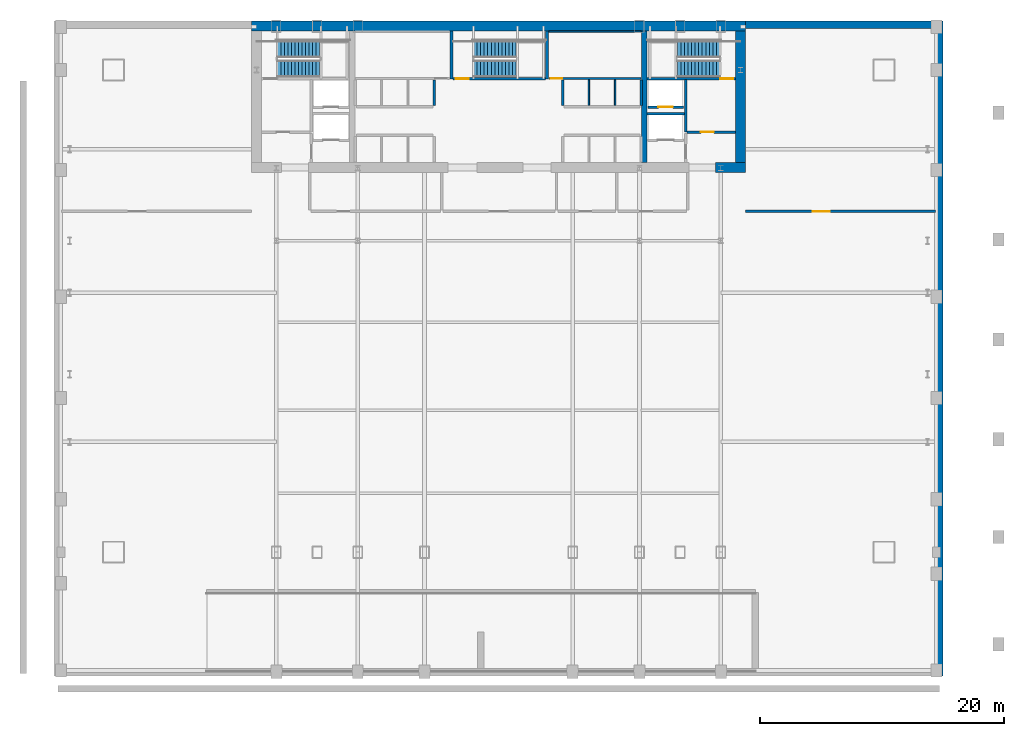
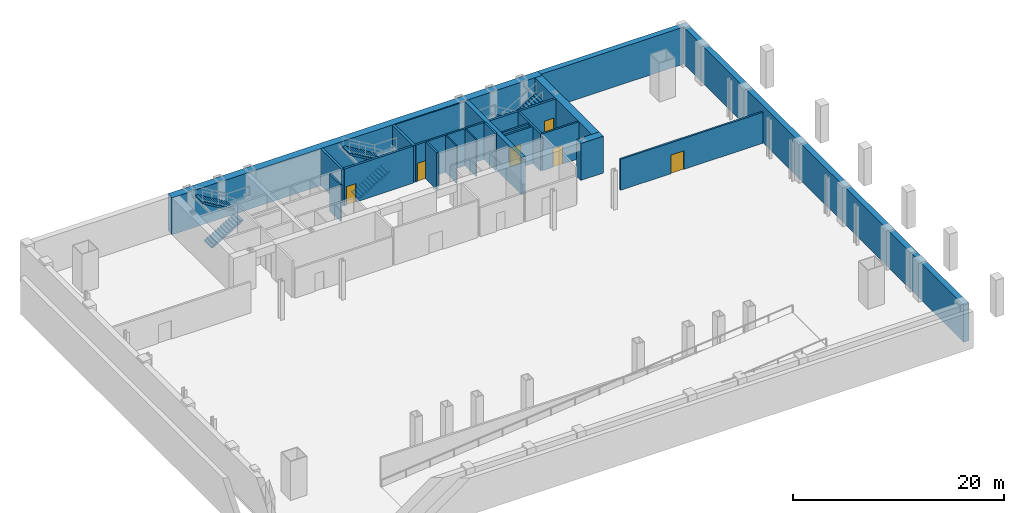
# One storey, part 8 of 10: 22 walls, 6 doors, 6 stair flights, 6 openings, 3 elements without a shape of their own.
"""IFC4 building model written with IfcOpenShell, lengths in metres."""

from ifc_helpers import new_model, si_unit, direction, frame, frame_2d, origin, place, context, subcontext, project, spatial, polyline, rectangle, outline, extrude, material, layer, layer_set, type_object, element, fill, aggregate, save


model = new_model("IFC4")

# Units and contexts
model_context = context("Model", 3, precision=1e-05, world=origin(), true_north=direction((0.0, 1.0)))
body_context = subcontext(model_context, "Body", "Model", "MODEL_VIEW")
ifc_project = project(units=[si_unit("LENGTHUNIT", "METRE"), si_unit("AREAUNIT", "SQUARE_METRE"), si_unit("VOLUMEUNIT", "CUBIC_METRE"), si_unit("PLANEANGLEUNIT", "RADIAN"), si_unit("MASSUNIT", "GRAM", prefix="KILO")], contexts=[model_context])

# Site, building, storey
site_placement = place(None, origin())
site = spatial("IfcSite", under=ifc_project, at=site_placement, CompositionType="ELEMENT")
building_placement = place(site_placement, origin())
building = spatial("IfcBuilding", under=site, at=building_placement, Name="Khoronbel Lancet Exchange", CompositionType="ELEMENT")
storey_placement = place(building_placement, frame((0.0, 0.0, -4.5)))
storey = spatial("IfcBuildingStorey", under=building, at=storey_placement, Name="B1", CompositionType="ELEMENT", Elevation=-4.5)

# Walls
ifc_material_1 = material(Name="Concrete C80/95", Category="concrete")
ifc_layer_1 = layer(ifc_material_1, 0.800048828125, Name="Concrete C80/95")
ifc_layer_set_1 = layer_set([ifc_layer_1], Name="Concrete C80/95")
wall_type_1 = type_object("IfcWallType", Name="WL-CW1", PredefinedType="SHEAR", material=ifc_layer_set_1)
wall_1_placement = place(storey_placement, frame((16.199951171875, 53.300048828125, 0.0), z_axis=(0.0, 0.0, 1.0), x_axis=(1.0, 0.0, 0.0)))
element("IfcWall", 1, at=wall_1_placement, inside=storey, type_object=wall_type_1, Name="Level B1 rear core north shear wall", PredefinedType="SHEAR", context=body_context, shape_type="SweptSolid", body=[
    extrude(rectangle(XDim=40.5, YDim=0.800048828125, at=frame_2d((20.25, 0.0))), origin(), (0.0, 0.0, 1.0), 4.280029296875),
])
wall_2_placement = place(storey_placement, frame((56.300048828125, 52.89990234375, 0.0), z_axis=(0.0, 0.0, 1.0), x_axis=(0.0, -1.0, 0.0)))
element("IfcWall", 2, at=wall_2_placement, inside=storey, type_object=wall_type_1, Name="Level B1 rear core east shear wall", PredefinedType="SHEAR", context=body_context, shape_type="SweptSolid", body=[
    extrude(rectangle(XDim=10.7998046875, YDim=0.800048828125, at=frame_2d((5.39990234375, 0.0))), origin(), (0.0, 0.0, 1.0), 4.280029296875),
])
wall_3_placement = place(storey_placement, frame((56.699951171875, 41.699951171875, 0.0), z_axis=(0.0, 0.0, 1.0), x_axis=(-1.0, 0.0, 0.0)))
element("IfcWall", 3, at=wall_3_placement, inside=storey, type_object=wall_type_1, Name="Level B1 rear core south shear wall pier P5", PredefinedType="SHEAR", context=body_context, shape_type="SweptSolid", body=[
    extrude(rectangle(XDim=2.449951171875, YDim=0.800048828125, at=frame_2d((1.22509765625, 0.0))), origin(), (0.0, 0.0, 1.0), 4.280029296875),
])
ifc_material_2 = material(Name="Fire-Rated Metal-Stud & Mineral-Wool Gypsum Partition 120 mm", Category="gypsum")
ifc_layer_2 = layer(ifc_material_2, 0.1201171875, Name="Fire-Rated Metal-Stud & Mineral-Wool Gypsum Partition 120 mm")
ifc_layer_set_2 = layer_set([ifc_layer_2], Name="Fire-Rated Metal-Stud & Mineral-Wool Gypsum Partition 120 mm")
wall_type_2 = type_object("IfcWallType", Name="WL-PRT120F", PredefinedType="PARTITIONING", material=ifc_layer_set_2)
for number, where, z_axis, x_axis, name in (
    (4, (43.860107421875, 46.804931640625, 0.0), (0.0, 0.0, 1.0), (0.0, 1.0, 0.0), "Level B1 interior partition CW-PH-D1"),
    (5, (46.0, 46.804931640625, 0.0), (0.0, 0.0, 1.0), (0.0, 1.0, 0.0), "Level B1 interior partition CW-PH-D2"),
):
    element("IfcWall", number, at=place(storey_placement, frame(where, z_axis=z_axis, x_axis=x_axis)), inside=storey, type_object=wall_type_2, Name=name, PredefinedType="PARTITIONING", context=body_context, shape_type="SweptSolid", body=[
        extrude(rectangle(XDim=2.090087890625, YDim=0.1201171875, at=frame_2d((1.044921875, 0.0))), origin(), (0.0, 0.0, 1.0), 4.280029296875),
    ])
wall_4_placement = place(storey_placement, frame((40.580078125, 52.860107421875, 0.0), z_axis=(0.0, 0.0, 1.0), x_axis=(1.0, 0.0, 0.0)))
element("IfcWall", 6, at=wall_4_placement, inside=storey, type_object=wall_type_2, Name="Level B1 interior partition CW-SUP-NE-N", PredefinedType="PARTITIONING", context=body_context, shape_type="SweptSolid", body=[
    extrude(rectangle(XDim=7.559814453125, YDim=0.1201171875, at=frame_2d((3.77978515625, 0.0))), origin(), (0.0, 0.0, 1.0), 4.280029296875),
])

# Wall, opening, door
ifc_material_3 = material(Name="Autoclaved Aerated Concrete Blockwork 200 mm", Category="masonry")
ifc_layer_3 = layer(ifc_material_3, 0.199951171875, Name="Autoclaved Aerated Concrete Blockwork 200 mm")
ifc_layer_set_3 = layer_set([ifc_layer_3], Name="Autoclaved Aerated Concrete Blockwork 200 mm")
wall_type_3 = type_object("IfcWallType", Name="WL-PRT200", PredefinedType="PARTITIONING", material=ifc_layer_set_3)
wall_5_placement = place(storey_placement, frame((51.610107421875, 46.64990234375, 0.0), z_axis=(0.0, 0.0, 1.0), x_axis=(-1.0, 0.0, 0.0)))
wall_5 = element("IfcWall", 7, at=wall_5_placement, inside=storey, type_object=wall_type_3, Name="Level B1 elevator hoistway landing front wall FFLE", PredefinedType="PARTITIONING", context=body_context, shape_type="SweptSolid", body=[
    extrude(rectangle(XDim=2.920166015625, YDim=0.199951171875, at=frame_2d((1.4599609375, 0.0))), origin(), (0.0, 0.0, 1.0), 4.280029296875),
])
opening_1_placement = place(wall_5_placement, frame((0.860107421875, 0.0, 0.0)))
opening_1 = element("IfcOpeningElement", 8, at=opening_1_placement, cuts=wall_5, Name="Opening LD-FFL2", PredefinedType="OPENING", context=body_context, shape_type="SweptSolid", body=[
    extrude(rectangle(XDim=1.199951171875, YDim=2.179931640625, at=frame_2d((0.60009765625, 1.08984375))), frame((0.0, 0.10986328125, 0.0), z_axis=(0.0, -1.0, 0.0), x_axis=(1.0, 0.0, 0.0)), (0.0, 0.0, 1.0), 0.219970703125),
])
ifc_material_4 = material(Name="Fire-Rated Stainless Bi-Parting Firefighting Lift Door", Category="steel")
door_type_1 = type_object("IfcDoorType", Name="DR-LD-FFL", OperationType="NOTDEFINED", PredefinedType="DOOR", material=ifc_material_4)
door_1_placement = place(opening_1_placement, origin())
door_1 = element("IfcDoor", 9, at=door_1_placement, inside=storey, type_object=door_type_1, Name="Elevator landing sliding door LD-FFL2 B1", OperationType="SLIDING_TO_LEFT", OverallHeight=2.179931640625, OverallWidth=1.199951171875, PredefinedType="DOOR", context=body_context, shape_type="SweptSolid", body=[
    extrude(rectangle(XDim=1.199951171875, YDim=2.179931640625, at=frame_2d((0.60009765625, 1.08984375))), frame((0.0, 0.02490234375, 0.0), z_axis=(0.0, -1.0, 0.0), x_axis=(1.0, 0.0, 0.0)), (0.0, 0.0, 1.0), 0.050048828125),
])
fill(opening_1, door_1)

# Wall
wall_6_placement = place(storey_placement, frame((51.800048828125, 44.60009765625, 0.0), z_axis=(0.0, 0.0, 1.0), x_axis=(0.0, 1.0, 0.0)))
element("IfcWall", 10, at=wall_6_placement, inside=storey, type_object=wall_type_3, Name="Level B1 interior partition CW-FFLE-W", PredefinedType="PARTITIONING", context=body_context, shape_type="SweptSolid", body=[
    extrude(rectangle(XDim=4.2998046875, YDim=0.199951171875, at=frame_2d((2.14990234375, 0.0))), origin(), (0.0, 0.0, 1.0), 4.280029296875),
])

# Wall, opening, door
wall_7_placement = place(storey_placement, frame((51.89990234375, 44.60009765625, 0.0), z_axis=(0.0, 0.0, 1.0), x_axis=(1.0, 0.0, 0.0)))
wall_7 = element("IfcWall", 11, at=wall_7_placement, inside=storey, type_object=wall_type_3, Name="Level B1 interior partition CW-FFLE-S", PredefinedType="PARTITIONING", context=body_context, shape_type="SweptSolid", body=[
    extrude(rectangle(XDim=4.0, YDim=0.199951171875, at=frame_2d((2.0, 0.0))), origin(), (0.0, 0.0, 1.0), 4.280029296875),
])
opening_2_placement = place(wall_7_placement, frame((1.14990234375, 0.0, 0.0)))
opening_2 = element("IfcOpeningElement", 12, at=opening_2_placement, cuts=wall_7, Name="Opening FD1", PredefinedType="OPENING", context=body_context, shape_type="SweptSolid", body=[
    extrude(rectangle(XDim=1.050048828125, YDim=2.14990234375, at=frame_2d((0.52490234375, 1.074951171875))), frame((0.0, 0.10986328125, 0.0), z_axis=(0.0, -1.0, 0.0), x_axis=(1.0, 0.0, 0.0)), (0.0, 0.0, 1.0), 0.219970703125),
])
ifc_material_5 = material(Name="Fire-Rated Painted Steel Door Assembly", Category="steel")
door_type_2 = type_object("IfcDoorType", Name="DR-FD1", OperationType="NOTDEFINED", PredefinedType="DOOR", material=ifc_material_5)
door_2_placement = place(opening_2_placement, origin())
door_2 = element("IfcDoor", 13, at=door_2_placement, inside=storey, type_object=door_type_2, Name="East firefighting lobby FD90S door B1-1", OperationType="SINGLE_SWING_LEFT", OverallHeight=2.14990234375, OverallWidth=1.050048828125, PredefinedType="DOOR", context=body_context, shape_type="SweptSolid", body=[
    extrude(rectangle(XDim=1.050048828125, YDim=2.14990234375, at=frame_2d((0.52490234375, 1.074951171875))), frame((0.0, 0.02490234375, 0.0), z_axis=(0.0, -1.0, 0.0), x_axis=(1.0, 0.0, 0.0)), (0.0, 0.0, 1.0), 0.050048828125),
])
fill(opening_2, door_2)

# Walls
wall_8_placement = place(storey_placement, frame((48.6298828125, 46.1201171875, 0.0), z_axis=(0.0, 0.0, 1.0), x_axis=(1.0, 0.0, 0.0)))
element("IfcWall", 14, at=wall_8_placement, inside=storey, type_object=wall_type_3, Name="Level B1 interior partition CW-FFL2-S", PredefinedType="PARTITIONING", context=body_context, shape_type="SweptSolid", body=[
    extrude(rectangle(XDim=3.070068359375, YDim=0.199951171875, at=frame_2d((1.53515625, 0.0))), origin(), (0.0, 0.0, 1.0), 4.280029296875),
])
for number, where, z_axis, x_axis, name in (
    (15, (31.179931640625, 46.804931640625, 0.0), (0.0, 0.0, 1.0), (0.0, 1.0, 0.0), "Level B1 interior partition CW-PL-E"),
    (16, (41.719970703125, 46.804931640625, 0.0), (0.0, 0.0, 1.0), (0.0, 1.0, 0.0), "Level B1 interior partition CW-PH-W"),
    (17, (48.139892578125, 46.804931640625, 0.0), (0.0, 0.0, 1.0), (0.0, 1.0, 0.0), "Level B1 interior partition CW-PH-E"),
):
    element("IfcWall", number, at=place(storey_placement, frame(where, z_axis=z_axis, x_axis=x_axis)), inside=storey, type_object=wall_type_3, Name=name, PredefinedType="PARTITIONING", context=body_context, shape_type="SweptSolid", body=[
        extrude(rectangle(XDim=2.090087890625, YDim=0.199951171875, at=frame_2d((1.044921875, 0.0))), origin(), (0.0, 0.0, 1.0), 4.280029296875),
    ])

# Wall, opening, door
wall_9_placement = place(storey_placement, frame((40.580078125, 49.0, 0.0), z_axis=(0.0, 0.0, 1.0), x_axis=(1.0, 0.0, 0.0)))
wall_9 = element("IfcWall", 18, at=wall_9_placement, inside=storey, type_object=wall_type_3, Name="Level B1 interior partition CW-SUP-NE-S", PredefinedType="PARTITIONING", context=body_context, shape_type="SweptSolid", body=[
    extrude(rectangle(XDim=7.559814453125, YDim=0.199951171875, at=frame_2d((3.77978515625, 0.0))), origin(), (0.0, 0.0, 1.0), 4.280029296875),
])
opening_3_placement = place(wall_9_placement, frame((0.159912109375, 0.0, 0.0)))
opening_3 = element("IfcOpeningElement", 19, at=opening_3_placement, cuts=wall_9, Name="Opening FD3", PredefinedType="OPENING", context=body_context, shape_type="SweptSolid", body=[
    extrude(rectangle(XDim=0.949951171875, YDim=2.10009765625, at=frame_2d((0.47509765625, 1.050048828125))), frame((0.0, 0.10986328125, 0.0), z_axis=(0.0, -1.0, 0.0), x_axis=(1.0, 0.0, 0.0)), (0.0, 0.0, 1.0), 0.219970703125),
])
ifc_material_6 = material(Name="Fire-Rated Steel Plant & Riser Door Assembly", Category="steel")
door_type_3 = type_object("IfcDoorType", Name="DR-FD3", OperationType="NOTDEFINED", PredefinedType="DOOR", material=ifc_material_6)
door_3_placement = place(opening_3_placement, origin())
door_3 = element("IfcDoor", 20, at=door_3_placement, inside=storey, type_object=door_type_3, Name="Core NE support room door B1-1", OperationType="SINGLE_SWING_RIGHT", OverallHeight=2.10009765625, OverallWidth=0.949951171875, PredefinedType="DOOR", context=body_context, shape_type="SweptSolid", body=[
    extrude(rectangle(XDim=0.949951171875, YDim=2.10009765625, at=frame_2d((0.47509765625, 1.050048828125))), frame((0.0, 0.02490234375, 0.0), z_axis=(0.0, -1.0, 0.0), x_axis=(1.0, 0.0, 0.0)), (0.0, 0.0, 1.0), 0.050048828125),
])
fill(opening_3, door_3)

wall_10_placement = place(storey_placement, frame((56.699951171875, 38.10009765625, 0.0), z_axis=(0.0, 0.0, 1.0), x_axis=(1.0, 0.0, 0.0)))
wall_10 = element("IfcWall", 21, at=wall_10_placement, inside=storey, type_object=wall_type_3, Name="Level B1 interior partition PW-B1-NE", PredefinedType="PARTITIONING", context=body_context, shape_type="SweptSolid", body=[
    extrude(rectangle(XDim=15.60009765625, YDim=0.199951171875, at=frame_2d((7.800048828125, 0.0))), origin(), (0.0, 0.0, 1.0), 3.590087890625),
])
opening_4_placement = place(wall_10_placement, frame((5.5, 0.0, 0.0)))
opening_4 = element("IfcOpeningElement", 22, at=opening_4_placement, cuts=wall_10, Name="Opening D7", PredefinedType="OPENING", context=body_context, shape_type="SweptSolid", body=[
    extrude(rectangle(XDim=1.39990234375, YDim=2.14990234375, at=frame_2d((0.699951171875, 1.074951171875))), frame((0.0, 0.10986328125, 0.0), z_axis=(0.0, -1.0, 0.0), x_axis=(1.0, 0.0, 0.0)), (0.0, 0.0, 1.0), 0.219970703125),
])
ifc_material_7 = material(Name="Fire-Rated Heavy Plant Double Door Assembly", Category="steel")
door_type_4 = type_object("IfcDoorType", Name="DR-D7", OperationType="NOTDEFINED", PredefinedType="DOOR", material=ifc_material_7)
door_4_placement = place(opening_4_placement, origin())
door_4 = element("IfcDoor", 23, at=door_4_placement, inside=storey, type_object=door_type_4, Name="Car-park jet-fan & sprinkler room door B1-1", OperationType="DOUBLE_DOOR_SINGLE_SWING", OverallHeight=2.14990234375, OverallWidth=1.39990234375, PredefinedType="DOOR", context=body_context, shape_type="SweptSolid", body=[
    extrude(rectangle(XDim=1.39990234375, YDim=2.14990234375, at=frame_2d((0.699951171875, 1.074951171875))), frame((0.0, 0.02490234375, 0.0), z_axis=(0.0, -1.0, 0.0), x_axis=(1.0, 0.0, 0.0)), (0.0, 0.0, 1.0), 0.050048828125),
])
fill(opening_4, door_4)

# Walls
ifc_material_8 = material(Name="Concrete C60/75", Category="concrete")
ifc_layer_4 = layer(ifc_material_8, 0.60009765625, Name="Concrete C60/75")
ifc_layer_set_4 = layer_set([ifc_layer_4], Name="Concrete C60/75")
wall_type_4 = type_object("IfcWallType", Name="WL-RET600", PredefinedType="SOLIDWALL", material=ifc_layer_set_4)
wall_11_placement = place(storey_placement, frame((56.699951171875, 53.39990234375, 0.0), z_axis=(0.0, 0.0, 1.0), x_axis=(1.0, 0.0, 0.0)))
element("IfcWall", 24, at=wall_11_placement, inside=storey, type_object=wall_type_4, Name="Basement B1 reinforced concrete retaining wall NE", PredefinedType="SOLIDWALL", context=body_context, shape_type="SweptSolid", body=[
    extrude(rectangle(XDim=15.60009765625, YDim=0.60009765625, at=frame_2d((7.800048828125, 0.0))), origin(), (0.0, 0.0, 1.0), 4.280029296875),
])
wall_12_placement = place(storey_placement, frame((72.60009765625, 53.699951171875, 0.0), z_axis=(0.0, 0.0, 1.0), x_axis=(0.0, -1.0, 0.0)))
element("IfcWall", 25, at=wall_12_placement, inside=storey, type_object=wall_type_4, Name="Basement B1 reinforced concrete retaining wall E", PredefinedType="SOLIDWALL", context=body_context, shape_type="SweptSolid", body=[
    extrude(rectangle(XDim=53.699951171875, YDim=0.60009765625, at=frame_2d((26.85009765625, 0.0))), origin(), (0.0, 0.0, 1.0), 4.280029296875),
])
ifc_layer_5 = layer(ifc_material_1, 0.449951171875, Name="Concrete C80/95")
ifc_layer_set_5 = layer_set([ifc_layer_5], Name="Concrete C80/95")
wall_type_5 = type_object("IfcWallType", Name="WL-SW1", PredefinedType="SHEAR", material=ifc_layer_set_5)
wall_13_placement = place(storey_placement, frame((48.39990234375, 42.10009765625, 0.0), z_axis=(0.0, 0.0, 1.0), x_axis=(0.0, 1.0, 0.0)))
element("IfcWall", 26, at=wall_13_placement, inside=storey, type_object=wall_type_5, Name="Level B1 rear core internal spine shear wall IE", PredefinedType="SHEAR", context=body_context, shape_type="SweptSolid", body=[
    extrude(rectangle(XDim=10.7998046875, YDim=0.449951171875, at=frame_2d((5.39990234375, 0.0))), origin(), (0.0, 0.0, 1.0), 4.280029296875),
])
ifc_layer_6 = layer(ifc_material_8, 0.260009765625, Name="Concrete C60/75")
ifc_layer_set_6 = layer_set([ifc_layer_6], Name="Concrete C60/75")
wall_type_6 = type_object("IfcWallType", Name="WL-SW3", PredefinedType="SHEAR", material=ifc_layer_set_6)
for number, where, z_axis, x_axis, name in (
    (27, (32.580078125, 48.949951171875, 0.0), (0.0, 0.0, 1.0), (0.0, 1.0, 0.0), "Level B1 central stairwell structural shear wall ST3W"),
    (28, (40.419921875, 48.949951171875, 0.0), (0.0, 0.0, 1.0), (0.0, 1.0, 0.0), "Level B1 central stairwell structural shear wall ST3E"),
):
    element("IfcWall", number, at=place(storey_placement, frame(where, z_axis=z_axis, x_axis=x_axis)), inside=storey, type_object=wall_type_6, Name=name, PredefinedType="SHEAR", context=body_context, shape_type="SweptSolid", body=[
        extrude(rectangle(XDim=3.949951171875, YDim=0.260009765625, at=frame_2d((1.97509765625, 0.0))), origin(), (0.0, 0.0, 1.0), 4.280029296875),
    ])

# Wall, opening, door
wall_14_placement = place(storey_placement, frame((48.6298828125, 48.97998046875, 0.0), z_axis=(0.0, 0.0, 1.0), x_axis=(1.0, 0.0, 0.0)))
wall_14 = element("IfcWall", 29, at=wall_14_placement, inside=storey, type_object=wall_type_6, Name="Level B1 east stairwell structural south wall", PredefinedType="SHEAR", context=body_context, shape_type="SweptSolid", body=[
    extrude(rectangle(XDim=7.27001953125, YDim=0.239990234375, at=frame_2d((3.635009765625, 0.0))), origin(), (0.0, 0.0, 1.0), 4.280029296875),
])
opening_5_placement = place(wall_14_placement, frame((6.0, 0.0, 0.0)))
opening_5 = element("IfcOpeningElement", 30, at=opening_5_placement, cuts=wall_14, Name="Opening SD1", PredefinedType="OPENING", context=body_context, shape_type="SweptSolid", body=[
    extrude(rectangle(XDim=1.050048828125, YDim=2.14990234375, at=frame_2d((0.52490234375, 1.074951171875))), frame((0.0, 0.1298828125, 0.0), z_axis=(0.0, -1.0, 0.0), x_axis=(1.0, 0.0, 0.0)), (0.0, 0.0, 1.0), 0.260009765625),
])
ifc_material_9 = material(Name="Fire-Rated Steel Stairwell Door Assembly", Category="steel")
door_type_5 = type_object("IfcDoorType", Name="DR-SD1", OperationType="NOTDEFINED", PredefinedType="DOOR", material=ifc_material_9)
door_5_placement = place(opening_5_placement, origin())
door_5 = element("IfcDoor", 31, at=door_5_placement, inside=storey, type_object=door_type_5, Name="Protected exit stair ST2 door B1", OperationType="SINGLE_SWING_RIGHT", OverallHeight=2.14990234375, OverallWidth=1.050048828125, PredefinedType="DOOR", context=body_context, shape_type="SweptSolid", body=[
    extrude(rectangle(XDim=1.050048828125, YDim=2.14990234375, at=frame_2d((0.52490234375, 1.074951171875))), frame((0.0, 0.02490234375, 0.0), z_axis=(0.0, -1.0, 0.0), x_axis=(1.0, 0.0, 0.0)), (0.0, 0.0, 1.0), 0.050048828125),
])
fill(opening_5, door_5)

wall_15_placement = place(storey_placement, frame((32.719970703125, 48.97998046875, 0.0), z_axis=(0.0, 0.0, 1.0), x_axis=(1.0, 0.0, 0.0)))
wall_15 = element("IfcWall", 32, at=wall_15_placement, inside=storey, type_object=wall_type_6, Name="Level B1 central stairwell structural south wall", PredefinedType="SHEAR", context=body_context, shape_type="SweptSolid", body=[
    extrude(rectangle(XDim=7.56005859375, YDim=0.239990234375, at=frame_2d((3.780029296875, 0.0))), origin(), (0.0, 0.0, 1.0), 4.280029296875),
])
opening_6_placement = place(wall_15_placement, frame((0.219970703125, 0.0, 0.0)))
opening_6 = element("IfcOpeningElement", 33, at=opening_6_placement, cuts=wall_15, Name="Opening SD1", PredefinedType="OPENING", context=body_context, shape_type="SweptSolid", body=[
    extrude(rectangle(XDim=1.050048828125, YDim=2.14990234375, at=frame_2d((0.52490234375, 1.074951171875))), frame((0.0, 0.1298828125, 0.0), z_axis=(0.0, -1.0, 0.0), x_axis=(1.0, 0.0, 0.0)), (0.0, 0.0, 1.0), 0.260009765625),
])
door_6_placement = place(opening_6_placement, origin())
door_6 = element("IfcDoor", 34, at=door_6_placement, inside=storey, type_object=door_type_5, Name="Protected exit stair ST3 door B1", OperationType="SINGLE_SWING_LEFT", OverallHeight=2.14990234375, OverallWidth=1.050048828125, PredefinedType="DOOR", context=body_context, shape_type="SweptSolid", body=[
    extrude(rectangle(XDim=1.050048828125, YDim=2.14990234375, at=frame_2d((0.52490234375, 1.074951171875))), frame((0.0, 0.02490234375, 0.0), z_axis=(0.0, -1.0, 0.0), x_axis=(1.0, 0.0, 0.0)), (0.0, 0.0, 1.0), 0.050048828125),
])
fill(opening_6, door_6)

# Stair, stair flights
ifc_material_10 = material(Name="Concrete C40/50", Category="concrete")
stair_type = type_object("IfcStairType", Name="STR-CORE150", PredefinedType="HALF_TURN_STAIR", material=ifc_material_10)
stair_1_placement = place(storey_placement, origin())
stair_1 = element("IfcStair", 35, at=stair_1_placement, inside=storey, type_object=stair_type, Name="B1 Protected Exit Stair ST1", PredefinedType="HALF_TURN_STAIR")
stair_flight_type = type_object("IfcStairFlightType", Name="STF-150", PredefinedType="STRAIGHT", material=ifc_material_10)
stair_flight_1_placement = place(storey_placement, frame((18.300048828125, 49.81005859375, 0.0), z_axis=(0.0, 0.0, 1.0), x_axis=(1.0, 0.0, 0.0)))
stair_flight_1 = element("IfcStairFlight", 36, at=stair_flight_1_placement, type_object=stair_flight_type, Name="ST1 flight 1", NumberOfRisers=13, NumberOfTreads=12, PredefinedType="STRAIGHT", RiserHeight=0.173076923, TreadLength=0.29, context=body_context, shape_type="SweptSolid", body=[
    extrude(outline(polyline([(0.0, 0.0), (0.0, 0.173095703125), (0.2900390625, 0.173095703125), (0.2900390625, 0.34619140625), (0.580078125, 0.34619140625), (0.580078125, 0.519287109375), (0.8701171875, 0.519287109375), (0.8701171875, 0.6923828125), (1.159912109375, 0.6923828125), (1.159912109375, 0.865478515625), (1.449951171875, 0.865478515625), (1.449951171875, 1.03857421875), (1.739990234375, 1.03857421875), (1.739990234375, 1.21142578125), (2.030029296875, 1.21142578125), (2.030029296875, 1.384521484375), (2.320068359375, 1.384521484375), (2.320068359375, 1.5576171875), (2.610107421875, 1.5576171875), (2.610107421875, 1.730712890625), (2.89990234375, 1.730712890625), (2.89990234375, 1.90380859375), (3.18994140625, 1.90380859375), (3.18994140625, 2.076904296875), (3.47998046875, 2.076904296875), (3.47998046875, 2.25), (3.47998046875, 1.90234375), (0.29248046875, 0.0), (0.0, 0.0)])), frame((0.0, 0.68994140625, 0.0), z_axis=(0.0, -1.0, 0.0), x_axis=(1.0, 0.0, 0.0)), (0.0, 0.0, 1.0), 1.3798828125),
])
stair_flight_2_placement = place(storey_placement, frame((21.780029296875, 51.409912109375, 2.25), z_axis=(0.0, 0.0, 1.0), x_axis=(-1.0, 0.0, 0.0)))
stair_flight_2 = element("IfcStairFlight", 37, at=stair_flight_2_placement, type_object=stair_flight_type, Name="ST1 flight 2", NumberOfRisers=13, NumberOfTreads=12, PredefinedType="STRAIGHT", RiserHeight=0.173076923, TreadLength=0.29, context=body_context, shape_type="SweptSolid", body=[
    extrude(outline(polyline([(0.0, 0.0), (0.0, 0.173095703125), (0.2900390625, 0.173095703125), (0.2900390625, 0.34619140625), (0.580078125, 0.34619140625), (0.580078125, 0.519287109375), (0.8701171875, 0.519287109375), (0.8701171875, 0.6923828125), (1.159912109375, 0.6923828125), (1.159912109375, 0.865478515625), (1.449951171875, 0.865478515625), (1.449951171875, 1.03857421875), (1.739990234375, 1.03857421875), (1.739990234375, 1.21142578125), (2.030029296875, 1.21142578125), (2.030029296875, 1.384521484375), (2.320068359375, 1.384521484375), (2.320068359375, 1.5576171875), (2.610107421875, 1.5576171875), (2.610107421875, 1.730712890625), (2.89990234375, 1.730712890625), (2.89990234375, 1.90380859375), (3.18994140625, 1.90380859375), (3.18994140625, 2.076904296875), (3.47998046875, 2.076904296875), (3.47998046875, 2.25), (3.47998046875, 1.90234375), (0.29248046875, 0.0), (0.0, 0.0)])), frame((0.0, 0.68994140625, 0.0), z_axis=(0.0, -1.0, 0.0), x_axis=(1.0, 0.0, 0.0)), (0.0, 0.0, 1.0), 1.3798828125),
])
aggregate(stair_1, [stair_flight_1, stair_flight_2])

stair_2_placement = place(storey_placement, origin())
stair_2 = element("IfcStair", 38, at=stair_2_placement, inside=storey, type_object=stair_type, Name="B1 Protected Exit Stair ST2", PredefinedType="HALF_TURN_STAIR")
stair_flight_3_placement = place(storey_placement, frame((54.60009765625, 51.409912109375, 0.0), z_axis=(0.0, 0.0, 1.0), x_axis=(-1.0, 0.0, 0.0)))
stair_flight_3 = element("IfcStairFlight", 39, at=stair_flight_3_placement, type_object=stair_flight_type, Name="ST2 flight 1", NumberOfRisers=13, NumberOfTreads=12, PredefinedType="STRAIGHT", RiserHeight=0.173076923, TreadLength=0.29, context=body_context, shape_type="SweptSolid", body=[
    extrude(outline(polyline([(0.0, 0.0), (0.0, 0.173095703125), (0.2900390625, 0.173095703125), (0.2900390625, 0.34619140625), (0.580078125, 0.34619140625), (0.580078125, 0.519287109375), (0.8701171875, 0.519287109375), (0.8701171875, 0.6923828125), (1.159912109375, 0.6923828125), (1.159912109375, 0.865478515625), (1.449951171875, 0.865478515625), (1.449951171875, 1.03857421875), (1.739990234375, 1.03857421875), (1.739990234375, 1.21142578125), (2.030029296875, 1.21142578125), (2.030029296875, 1.384521484375), (2.320068359375, 1.384521484375), (2.320068359375, 1.5576171875), (2.610107421875, 1.5576171875), (2.610107421875, 1.730712890625), (2.89990234375, 1.730712890625), (2.89990234375, 1.90380859375), (3.18994140625, 1.90380859375), (3.18994140625, 2.076904296875), (3.47998046875, 2.076904296875), (3.47998046875, 2.25), (3.47998046875, 1.90234375), (0.29248046875, 0.0), (0.0, 0.0)])), frame((0.0, 0.68994140625, 0.0), z_axis=(0.0, -1.0, 0.0), x_axis=(1.0, 0.0, 0.0)), (0.0, 0.0, 1.0), 1.3798828125),
])
stair_flight_4_placement = place(storey_placement, frame((51.1201171875, 49.81005859375, 2.25), z_axis=(0.0, 0.0, 1.0), x_axis=(1.0, 0.0, 0.0)))
stair_flight_4 = element("IfcStairFlight", 40, at=stair_flight_4_placement, type_object=stair_flight_type, Name="ST2 flight 2", NumberOfRisers=13, NumberOfTreads=12, PredefinedType="STRAIGHT", RiserHeight=0.173076923, TreadLength=0.29, context=body_context, shape_type="SweptSolid", body=[
    extrude(outline(polyline([(0.0, 0.0), (0.0, 0.173095703125), (0.2900390625, 0.173095703125), (0.2900390625, 0.34619140625), (0.580078125, 0.34619140625), (0.580078125, 0.519287109375), (0.8701171875, 0.519287109375), (0.8701171875, 0.6923828125), (1.159912109375, 0.6923828125), (1.159912109375, 0.865478515625), (1.449951171875, 0.865478515625), (1.449951171875, 1.03857421875), (1.739990234375, 1.03857421875), (1.739990234375, 1.21142578125), (2.030029296875, 1.21142578125), (2.030029296875, 1.384521484375), (2.320068359375, 1.384521484375), (2.320068359375, 1.5576171875), (2.610107421875, 1.5576171875), (2.610107421875, 1.730712890625), (2.89990234375, 1.730712890625), (2.89990234375, 1.90380859375), (3.18994140625, 1.90380859375), (3.18994140625, 2.076904296875), (3.47998046875, 2.076904296875), (3.47998046875, 2.25), (3.47998046875, 1.90234375), (0.29248046875, 0.0), (0.0, 0.0)])), frame((0.0, 0.68994140625, 0.0), z_axis=(0.0, -1.0, 0.0), x_axis=(1.0, 0.0, 0.0)), (0.0, 0.0, 1.0), 1.3798828125),
])
aggregate(stair_2, [stair_flight_3, stair_flight_4])

stair_3_placement = place(storey_placement, origin())
stair_3 = element("IfcStair", 41, at=stair_3_placement, inside=storey, type_object=stair_type, Name="B1 Protected Exit Stair ST3", PredefinedType="HALF_TURN_STAIR")
stair_flight_5_placement = place(storey_placement, frame((34.39990234375, 49.81005859375, 0.0), z_axis=(0.0, 0.0, 1.0), x_axis=(1.0, 0.0, 0.0)))
stair_flight_5 = element("IfcStairFlight", 42, at=stair_flight_5_placement, type_object=stair_flight_type, Name="ST3 flight 1", NumberOfRisers=13, NumberOfTreads=12, PredefinedType="STRAIGHT", RiserHeight=0.173076923, TreadLength=0.29, context=body_context, shape_type="SweptSolid", body=[
    extrude(outline(polyline([(0.0, 0.0), (0.0, 0.173095703125), (0.2900390625, 0.173095703125), (0.2900390625, 0.34619140625), (0.580078125, 0.34619140625), (0.580078125, 0.519287109375), (0.8701171875, 0.519287109375), (0.8701171875, 0.6923828125), (1.159912109375, 0.6923828125), (1.159912109375, 0.865478515625), (1.449951171875, 0.865478515625), (1.449951171875, 1.03857421875), (1.739990234375, 1.03857421875), (1.739990234375, 1.21142578125), (2.030029296875, 1.21142578125), (2.030029296875, 1.384521484375), (2.320068359375, 1.384521484375), (2.320068359375, 1.5576171875), (2.610107421875, 1.5576171875), (2.610107421875, 1.730712890625), (2.89990234375, 1.730712890625), (2.89990234375, 1.90380859375), (3.18994140625, 1.90380859375), (3.18994140625, 2.076904296875), (3.47998046875, 2.076904296875), (3.47998046875, 2.25), (3.47998046875, 1.90234375), (0.29248046875, 0.0), (0.0, 0.0)])), frame((0.0, 0.68994140625, 0.0), z_axis=(0.0, -1.0, 0.0), x_axis=(1.0, 0.0, 0.0)), (0.0, 0.0, 1.0), 1.3798828125),
])
stair_flight_6_placement = place(storey_placement, frame((37.8798828125, 51.409912109375, 2.25), z_axis=(0.0, 0.0, 1.0), x_axis=(-1.0, 0.0, 0.0)))
stair_flight_6 = element("IfcStairFlight", 43, at=stair_flight_6_placement, type_object=stair_flight_type, Name="ST3 flight 2", NumberOfRisers=13, NumberOfTreads=12, PredefinedType="STRAIGHT", RiserHeight=0.173076923, TreadLength=0.29, context=body_context, shape_type="SweptSolid", body=[
    extrude(outline(polyline([(0.0, 0.0), (0.0, 0.173095703125), (0.2900390625, 0.173095703125), (0.2900390625, 0.34619140625), (0.580078125, 0.34619140625), (0.580078125, 0.519287109375), (0.8701171875, 0.519287109375), (0.8701171875, 0.6923828125), (1.159912109375, 0.6923828125), (1.159912109375, 0.865478515625), (1.449951171875, 0.865478515625), (1.449951171875, 1.03857421875), (1.739990234375, 1.03857421875), (1.739990234375, 1.21142578125), (2.030029296875, 1.21142578125), (2.030029296875, 1.384521484375), (2.320068359375, 1.384521484375), (2.320068359375, 1.5576171875), (2.610107421875, 1.5576171875), (2.610107421875, 1.730712890625), (2.89990234375, 1.730712890625), (2.89990234375, 1.90380859375), (3.18994140625, 1.90380859375), (3.18994140625, 2.076904296875), (3.47998046875, 2.076904296875), (3.47998046875, 2.25), (3.47998046875, 1.90234375), (0.29248046875, 0.0), (0.0, 0.0)])), frame((0.0, 0.68994140625, 0.0), z_axis=(0.0, -1.0, 0.0), x_axis=(1.0, 0.0, 0.0)), (0.0, 0.0, 1.0), 1.3798828125),
])
aggregate(stair_3, [stair_flight_5, stair_flight_6])

save(model, "model.ifc")
